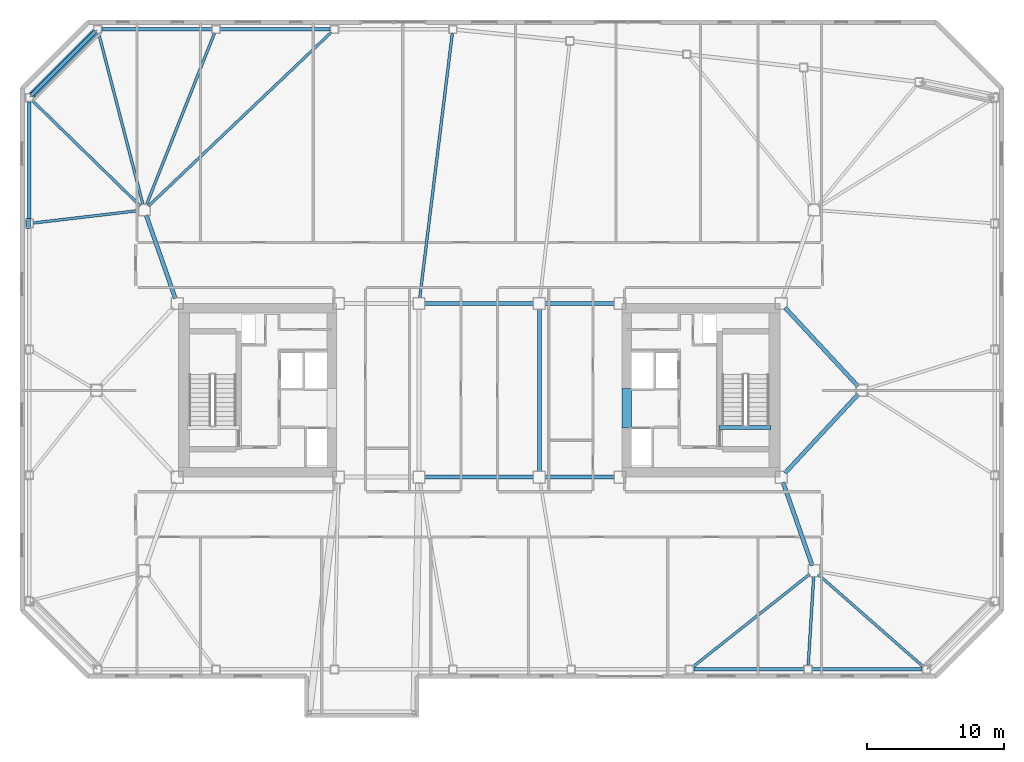
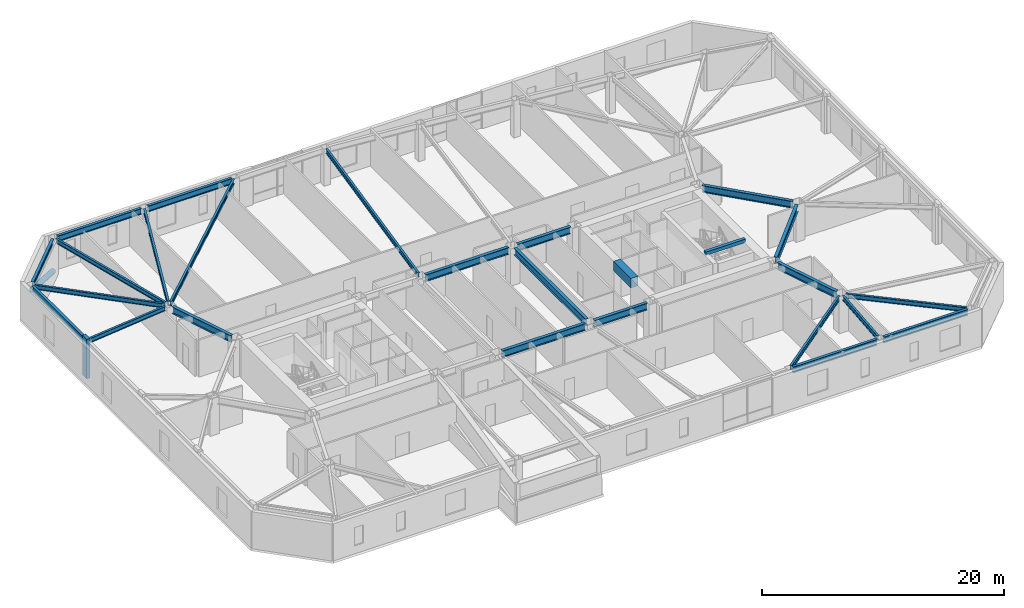
# One storey, part 4 of 17: 26 beams, 2 members.
"""IFC4 building model written with IfcOpenShell, lengths in metres."""

from ifc_helpers import new_model, si_unit, direction, frame, origin, origin_2d, place, context, subcontext, project, spatial, rectangle, hollow_circle, i_section, extrude, material, material_profile, profile_set, type_object, element, save


model = new_model("IFC4")

# Units and contexts
model_context = context("Model", 3, precision=1e-05, world=origin(), true_north=direction((0.0, 1.0)))
body_context = subcontext(model_context, "Body", "Model", "MODEL_VIEW")
ifc_project = project(units=[si_unit("LENGTHUNIT", "METRE"), si_unit("AREAUNIT", "SQUARE_METRE"), si_unit("VOLUMEUNIT", "CUBIC_METRE"), si_unit("PLANEANGLEUNIT", "RADIAN"), si_unit("MASSUNIT", "GRAM", prefix="KILO")], contexts=[model_context])

# Site, building, storey
site_placement = place(None, origin())
site = spatial("IfcSite", under=ifc_project, at=site_placement, CompositionType="ELEMENT")
building_placement = place(site_placement, origin())
building = spatial("IfcBuilding", under=site, at=building_placement, Name="Tavrogorsk Clinical Tower", CompositionType="ELEMENT")
storey_placement = place(building_placement, frame((0.0, 0.0, 160.199951171875)))
storey = spatial("IfcBuildingStorey", under=building, at=storey_placement, Name="L36", CompositionType="ELEMENT", Elevation=160.199951171875)

# Beam
ifc_material_1 = material(Name="Concrete B80", Category="concrete")
ifc_material_profile_1 = material_profile(ifc_material_1, rectangle(XDim=0.699951171875, YDim=0.949951171875, at=origin_2d()), Name="RC-CB-700x950")
ifc_profile_set_1 = profile_set([ifc_material_profile_1], Name="Concrete B80")
beam_type_1 = type_object("IfcBeamType", Name="CouplingBeam_RC700x950", PredefinedType="LINTEL", material=ifc_profile_set_1)
beam_1_placement = place(storey_placement, frame((10.800048828125, -2.75, 3.26513671875), z_axis=(0.0, 1.0, 0.0), x_axis=(-1.0, 0.0, 0.0)))
element("IfcBeam", 1, at=beam_1_placement, inside=storey, type_object=beam_type_1, Name="L36 Core East Coupling Beam", PredefinedType="LINTEL", context=body_context, shape_type="SweptSolid", body=[
    extrude(rectangle(XDim=0.699951171875, YDim=0.949951171875, at=origin_2d()), origin(), (0.0, 0.0, 1.0), 2.89990234375),
])

# Member
ifc_material_2 = material(Name="Structural steel S440", Category="steel")
ifc_material_profile_2 = material_profile(ifc_material_2, hollow_circle(Radius=0.25390625, WallThickness=0.02001953125, at=origin_2d()), Name="CHS-508x20")
ifc_profile_set_2 = profile_set([ifc_material_profile_2], Name="Structural steel S440")
member_type_1 = type_object("IfcMemberType", Name="ExoBrace_CHS508", PredefinedType="BRACE", material=ifc_profile_set_2)
member_1_placement = place(storey_placement, frame((-28.12255859375, 26.217529296875, 0.4130859375), z_axis=(-0.657758524103, -0.657758524103, 0.367025132572), x_axis=(0.707106781187, -0.707106781187, 0.0)))
element("IfcMember", 2, at=member_1_placement, inside=storey, type_object=member_type_1, Name="L36 Corner Exoskeleton Brace N8-W1", PredefinedType="BRACE", context=body_context, shape_type="SweptSolid", body=[
    extrude(hollow_circle(Radius=0.25390625, WallThickness=0.02001953125, at=origin_2d()), origin(), (0.0, 0.0, 1.0), 6.98583984375),
])

# Beams
ifc_material_3 = material(Name="Structural steel S355", Category="steel")
ifc_material_profile_3 = material_profile(ifc_material_3, i_section(OverallWidth=0.199951171875, OverallDepth=0.449951171875, WebThickness=0.011474609375, FlangeThickness=0.01806640625, at=origin_2d()), Name="B-450x200x11.5x18")
ifc_profile_set_3 = profile_set([ifc_material_profile_3], Name="Structural steel S355")
beam_type_2 = type_object("IfcBeamType", Name="FloorBeam_B450", PredefinedType="BEAM", material=ifc_profile_set_3)
beam_2_placement = place(storey_placement, frame((24.1787109375, -13.454833984375, 3.51513671875), z_axis=(-0.783566094727, -0.621308438052, 0.0), x_axis=(0.621308438052, -0.783566094727, 0.0)))
element("IfcBeam", 3, at=beam_2_placement, inside=storey, type_object=beam_type_2, Name="L36 Radial Floor Beam S6", PredefinedType="BEAM", context=body_context, shape_type="SweptSolid", body=[
    extrude(i_section(OverallWidth=0.199951171875, OverallDepth=0.449951171875, WebThickness=0.011474609375, FlangeThickness=0.01806640625, at=origin_2d()), origin(), (0.0, 0.0, 1.0), 10.902587890625),
])
beam_3_placement = place(storey_placement, frame((24.474853515625, -13.609130859375, 3.51513671875), z_axis=(-0.061225862048, -0.998123937102, 0.0), x_axis=(0.998123937102, -0.061225862048, 0.0)))
element("IfcBeam", 4, at=beam_3_placement, inside=storey, type_object=beam_type_2, Name="L36 Radial Floor Beam S7", PredefinedType="BEAM", context=body_context, shape_type="SweptSolid", body=[
    extrude(i_section(OverallWidth=0.199951171875, OverallDepth=0.449951171875, WebThickness=0.011474609375, FlangeThickness=0.01806640625, at=origin_2d()), origin(), (0.0, 0.0, 1.0), 6.515625),
])
beam_4_placement = place(storey_placement, frame((24.80810546875, -13.470458984375, 3.51513671875), z_axis=(0.751316315352, -0.659942265874, 0.0), x_axis=(0.659942265874, 0.751316315352, 0.0)))
element("IfcBeam", 5, at=beam_4_placement, inside=storey, type_object=beam_type_2, Name="L36 Radial Floor Beam S8", PredefinedType="BEAM", context=body_context, shape_type="SweptSolid", body=[
    extrude(i_section(OverallWidth=0.199951171875, OverallDepth=0.449951171875, WebThickness=0.011474609375, FlangeThickness=0.01806640625, at=origin_2d()), origin(), (0.0, 0.0, 1.0), 10.22265625),
])
beam_5_placement = place(storey_placement, frame((-4.349853515625, 6.7568359375, 3.51513671875), z_axis=(0.122074764034, 0.992520907581, 0.0), x_axis=(-0.992520907581, 0.122074764034, 0.0)))
element("IfcBeam", 6, at=beam_5_placement, inside=storey, type_object=beam_type_2, Name="L36 Radial Floor Beam N5", PredefinedType="BEAM", context=body_context, shape_type="SweptSolid", body=[
    extrude(i_section(OverallWidth=0.199951171875, OverallDepth=0.449951171875, WebThickness=0.011474609375, FlangeThickness=0.01806640625, at=origin_2d()), origin(), (0.0, 0.0, 1.0), 19.503173828125),
])
beam_6_placement = place(storey_placement, frame((-24.202880859375, 13.482421875, 3.51513671875), z_axis=(0.724746572965, 0.689015533189, 0.0), x_axis=(-0.689015533189, 0.724746572965, 0.0)))
element("IfcBeam", 7, at=beam_6_placement, inside=storey, type_object=beam_type_2, Name="L36 Radial Floor Beam N6", PredefinedType="BEAM", context=body_context, shape_type="SweptSolid", body=[
    extrude(i_section(OverallWidth=0.199951171875, OverallDepth=0.449951171875, WebThickness=0.011474609375, FlangeThickness=0.01806640625, at=origin_2d()), origin(), (0.0, 0.0, 1.0), 18.468994140625),
])
beam_7_placement = place(storey_placement, frame((-24.348876953125, 13.5810546875, 3.51513671875), z_axis=(0.368655349184, 0.929566153384, 0.0), x_axis=(-0.929566153384, 0.368655349184, 0.0)))
element("IfcBeam", 8, at=beam_7_placement, inside=storey, type_object=beam_type_2, Name="L36 Radial Floor Beam N7", PredefinedType="BEAM", context=body_context, shape_type="SweptSolid", body=[
    extrude(i_section(OverallWidth=0.199951171875, OverallDepth=0.449951171875, WebThickness=0.011474609375, FlangeThickness=0.01806640625, at=origin_2d()), origin(), (0.0, 0.0, 1.0), 13.50390625),
])
beam_8_placement = place(storey_placement, frame((-24.602783203125, 13.596923828125, 3.51513671875), z_axis=(-0.25044015559, 0.96813208214, 0.0), x_axis=(-0.96813208214, -0.25044015559, 0.0)))
element("IfcBeam", 9, at=beam_8_placement, inside=storey, type_object=beam_type_2, Name="L36 Radial Floor Beam N8", PredefinedType="BEAM", context=body_context, shape_type="SweptSolid", body=[
    extrude(i_section(OverallWidth=0.199951171875, OverallDepth=0.449951171875, WebThickness=0.011474609375, FlangeThickness=0.01806640625, at=origin_2d()), origin(), (0.0, 0.0, 1.0), 12.937255859375),
])
beam_9_placement = place(storey_placement, frame((-24.79345703125, 13.486328125, 3.51513671875), z_axis=(-0.715551590144, 0.698559891378, 0.0), x_axis=(-0.698559891378, -0.715551590144, 0.0)))
element("IfcBeam", 10, at=beam_9_placement, inside=storey, type_object=beam_type_2, Name="L36 Radial Floor Beam W1", PredefinedType="BEAM", context=body_context, shape_type="SweptSolid", body=[
    extrude(i_section(OverallWidth=0.199951171875, OverallDepth=0.449951171875, WebThickness=0.011474609375, FlangeThickness=0.01806640625, at=origin_2d()), origin(), (0.0, 0.0, 1.0), 11.049072265625),
])
beam_10_placement = place(storey_placement, frame((-24.9072265625, 13.152099609375, 3.51513671875), z_axis=(-0.993157045518, -0.116786484397, 0.0), x_axis=(0.116786484397, -0.993157045518, 0.0)))
element("IfcBeam", 11, at=beam_10_placement, inside=storey, type_object=beam_type_2, Name="L36 Radial Floor Beam W2", PredefinedType="BEAM", context=body_context, shape_type="SweptSolid", body=[
    extrude(i_section(OverallWidth=0.199951171875, OverallDepth=0.449951171875, WebThickness=0.011474609375, FlangeThickness=0.01806640625, at=origin_2d()), origin(), (0.0, 0.0, 1.0), 7.759765625),
])

# Member
ifc_material_4 = material(Name="Precast concrete B45 with limestone cladding", Category="masonry")
ifc_material_profile_4 = material_profile(ifc_material_4, rectangle(XDim=0.320068359375, YDim=0.719970703125, at=origin_2d()), Name="LIMESTONE-FIN-320x720")
ifc_profile_set_4 = profile_set([ifc_material_profile_4], Name="Precast concrete B45 with limestone cladding")
member_type_2 = type_object("IfcMemberType", Name="LimestonePleatFin_320x720", PredefinedType="USERDEFINED", material=ifc_profile_set_4)
member_2_placement = place(storey_placement, frame((-33.0, 12.2099609375, 0.0), z_axis=(0.0, 0.0, 1.0), x_axis=(1.0, 0.0, 0.0)))
element("IfcMember", 12, at=member_2_placement, inside=storey, type_object=member_type_2, Name="L36 W Pleated Stone Fin 1", ObjectType="FIN", PredefinedType="USERDEFINED", context=body_context, shape_type="SweptSolid", body=[
    extrude(rectangle(XDim=0.320068359375, YDim=0.719970703125, at=origin_2d()), origin(), (0.0, 0.0, 1.0), 4.0),
])

# Beams
ifc_material_5 = material(Name="Structural steel S390", Category="steel")
ifc_material_profile_5 = material_profile(ifc_material_5, i_section(OverallWidth=0.300048828125, OverallDepth=0.699951171875, WebThickness=0.01708984375, FlangeThickness=0.028076171875, at=origin_2d()), Name="B-700x300x17x28")
ifc_profile_set_5 = profile_set([ifc_material_profile_5], Name="Structural steel S390")
beam_type_3 = type_object("IfcBeamType", Name="PrimaryGirder_B700", PredefinedType="USERDEFINED", material=ifc_profile_set_5)
for number, where, z_axis, x_axis, name in (
    (13, (-3.989990234375, -6.35009765625, 3.39013671875), (1.0, 0.0, 0.0), (0.0, 1.0, 0.0), "L36 Primary Spine Girder MG-03"),
    (14, (-3.989990234375, 6.35009765625, 3.39013671875), (1.0, 0.0, 0.0), (0.0, 1.0, 0.0), "L36 Primary Spine Girder MG-04"),
):
    element("IfcBeam", number, at=place(storey_placement, frame(where, z_axis=z_axis, x_axis=x_axis)), inside=storey, type_object=beam_type_3, Name=name, ObjectType="GIRDER", PredefinedType="USERDEFINED", context=body_context, shape_type="SweptSolid", body=[
        extrude(i_section(OverallWidth=0.300048828125, OverallDepth=0.699951171875, WebThickness=0.01708984375, FlangeThickness=0.028076171875, at=origin_2d()), origin(), (0.0, 0.0, 1.0), 7.97998046875),
    ])
for number, where, z_axis, x_axis, name in (
    (15, (4.81005859375, -6.35009765625, 3.39013671875), (1.0, 0.0, 0.0), (0.0, 1.0, 0.0), "L36 Primary Spine Girder MG-05"),
    (16, (4.81005859375, 6.35009765625, 3.39013671875), (1.0, 0.0, 0.0), (0.0, 1.0, 0.0), "L36 Primary Spine Girder MG-06"),
):
    element("IfcBeam", number, at=place(storey_placement, frame(where, z_axis=z_axis, x_axis=x_axis)), inside=storey, type_object=beam_type_3, Name=name, ObjectType="GIRDER", PredefinedType="USERDEFINED", context=body_context, shape_type="SweptSolid", body=[
        extrude(i_section(OverallWidth=0.300048828125, OverallDepth=0.699951171875, WebThickness=0.01708984375, FlangeThickness=0.028076171875, at=origin_2d()), origin(), (0.0, 0.0, 1.0), 5.079833984375),
    ])
beam_11_placement = place(storey_placement, frame((4.39990234375, -5.93994140625, 3.39013671875), z_axis=(0.0, 1.0, 0.0), x_axis=(-1.0, 0.0, 0.0)))
element("IfcBeam", 17, at=beam_11_placement, inside=storey, type_object=beam_type_3, Name="L36 Primary Spine Girder MG-08", ObjectType="GIRDER", PredefinedType="USERDEFINED", context=body_context, shape_type="SweptSolid", body=[
    extrude(i_section(OverallWidth=0.300048828125, OverallDepth=0.699951171875, WebThickness=0.01708984375, FlangeThickness=0.028076171875, at=origin_2d()), origin(), (0.0, 0.0, 1.0), 11.8798828125),
])
for number, where, z_axis, x_axis, name in (
    (18, (24.364501953125, -12.81298828125, 3.39013671875), (-0.330673031392, 0.94374538214, 0.0), (-0.94374538214, -0.330673031392, 0.0), "L36 Spine Link Girder OPG-2"),
    (19, (-24.364501953125, 12.81298828125, 3.39013671875), (0.330673031392, -0.94374538214, 0.0), (0.94374538214, 0.330673031392, 0.0), "L36 Spine Link Girder OPG-3"),
):
    element("IfcBeam", number, at=place(storey_placement, frame(where, z_axis=z_axis, x_axis=x_axis)), inside=storey, type_object=beam_type_3, Name=name, ObjectType="GIRDER", PredefinedType="USERDEFINED", context=body_context, shape_type="SweptSolid", body=[
        extrude(i_section(OverallWidth=0.300048828125, OverallDepth=0.699951171875, WebThickness=0.01708984375, FlangeThickness=0.028076171875, at=origin_2d()), origin(), (0.0, 0.0, 1.0), 6.43798828125),
    ])
for number, where, z_axis, x_axis, name in (
    (20, (27.720947265625, -0.30029296875, 3.39013671875), (-0.680669430215, -0.732590695253, 0.0), (0.732590695253, -0.680669430215, 0.0), "L36 Spine Link Girder OPG-7"),
    (21, (27.720947265625, 0.30029296875, 3.39013671875), (-0.680669430215, 0.732590695253, 0.0), (-0.732590695253, -0.680669430215, 0.0), "L36 Spine Link Girder OPG-8"),
):
    element("IfcBeam", number, at=place(storey_placement, frame(where, z_axis=z_axis, x_axis=x_axis)), inside=storey, type_object=beam_type_3, Name=name, ObjectType="GIRDER", PredefinedType="USERDEFINED", context=body_context, shape_type="SweptSolid", body=[
        extrude(i_section(OverallWidth=0.300048828125, OverallDepth=0.699951171875, WebThickness=0.01708984375, FlangeThickness=0.028076171875, at=origin_2d()), origin(), (0.0, 0.0, 1.0), 7.847900390625),
    ])
ifc_material_6 = material(Name="Structural steel S390", Category="steel")
ifc_material_profile_6 = material_profile(ifc_material_6, i_section(OverallWidth=0.260009765625, OverallDepth=0.60009765625, WebThickness=0.014892578125, FlangeThickness=0.02392578125, at=origin_2d()), Name="B-600x260x15x24")
ifc_profile_set_6 = profile_set([ifc_material_profile_6], Name="Structural steel S390")
beam_type_4 = type_object("IfcBeamType", Name="SpandrelBeam_B600", PredefinedType="SPANDREL", material=ifc_profile_set_6)
beam_12_placement = place(storey_placement, frame((15.702392578125, -20.419921875, 3.43994140625), z_axis=(1.0, 0.0, 0.0), x_axis=(0.0, 1.0, 0.0)))
element("IfcBeam", 22, at=beam_12_placement, inside=storey, type_object=beam_type_4, Name="L36 Perimeter Spandrel S6-S7", PredefinedType="SPANDREL", context=body_context, shape_type="SweptSolid", body=[
    extrude(i_section(OverallWidth=0.260009765625, OverallDepth=0.60009765625, WebThickness=0.014892578125, FlangeThickness=0.02392578125, at=origin_2d()), origin(), (0.0, 0.0, 1.0), 8.046630859375),
])
beam_13_placement = place(storey_placement, frame((24.364990234375, -20.419921875, 3.43994140625), z_axis=(1.0, 0.0, 0.0), x_axis=(0.0, 1.0, 0.0)))
element("IfcBeam", 23, at=beam_13_placement, inside=storey, type_object=beam_type_4, Name="L36 Perimeter Spandrel S7-S8", PredefinedType="SPANDREL", context=body_context, shape_type="SweptSolid", body=[
    extrude(i_section(OverallWidth=0.260009765625, OverallDepth=0.60009765625, WebThickness=0.014892578125, FlangeThickness=0.02392578125, at=origin_2d()), origin(), (0.0, 0.0, 1.0), 8.047119140625),
])
for number, where, z_axis, x_axis, name in (
    (24, (-10.90234375, 26.419921875, 3.43994140625), (-1.0, 0.0, 0.0), (0.0, -1.0, 0.0), "L36 Perimeter Spandrel N6-N7"),
    (25, (-19.565185546875, 26.419921875, 3.43994140625), (-1.0, 0.0, 0.0), (0.0, -1.0, 0.0), "L36 Perimeter Spandrel N7-N8"),
):
    element("IfcBeam", number, at=place(storey_placement, frame(where, z_axis=z_axis, x_axis=x_axis)), inside=storey, type_object=beam_type_4, Name=name, PredefinedType="SPANDREL", context=body_context, shape_type="SweptSolid", body=[
        extrude(i_section(OverallWidth=0.260009765625, OverallDepth=0.60009765625, WebThickness=0.014892578125, FlangeThickness=0.02392578125, at=origin_2d()), origin(), (0.0, 0.0, 1.0), 8.046875),
    ])
beam_14_placement = place(storey_placement, frame((-28.1376953125, 26.2021484375, 3.43994140625), z_axis=(-0.707106781187, -0.707106781187, 0.0), x_axis=(0.707106781187, -0.707106781187, 0.0)))
element("IfcBeam", 26, at=beam_14_placement, inside=storey, type_object=beam_type_4, Name="L36 Perimeter Spandrel N8-W1", PredefinedType="SPANDREL", context=body_context, shape_type="SweptSolid", body=[
    extrude(i_section(OverallWidth=0.260009765625, OverallDepth=0.60009765625, WebThickness=0.014892578125, FlangeThickness=0.02392578125, at=origin_2d()), origin(), (0.0, 0.0, 1.0), 6.455078125),
])
beam_15_placement = place(storey_placement, frame((-32.919921875, 21.112060546875, 3.43994140625), z_axis=(0.0, -1.0, 0.0), x_axis=(1.0, 0.0, 0.0)))
element("IfcBeam", 27, at=beam_15_placement, inside=storey, type_object=beam_type_4, Name="L36 Perimeter Spandrel W1-W2", PredefinedType="SPANDREL", context=body_context, shape_type="SweptSolid", body=[
    extrude(i_section(OverallWidth=0.260009765625, OverallDepth=0.60009765625, WebThickness=0.014892578125, FlangeThickness=0.02392578125, at=origin_2d()), origin(), (0.0, 0.0, 1.0), 8.593994140625),
])
ifc_material_7 = material(Name="Concrete B60", Category="concrete")
ifc_material_profile_7 = material_profile(ifc_material_7, rectangle(XDim=0.300048828125, YDim=0.35009765625, at=origin_2d()), Name="RC-SHB-300x350")
ifc_profile_set_7 = profile_set([ifc_material_profile_7], Name="Concrete B60")
beam_type_5 = type_object("IfcBeamType", Name="StairHeaderBeam_RC300x350", PredefinedType="BEAM", material=ifc_profile_set_7)
beam_16_placement = place(storey_placement, frame((17.550048828125, -2.719970703125, 3.824951171875), z_axis=(1.0, 0.0, 0.0), x_axis=(0.0, 1.0, 0.0)))
element("IfcBeam", 28, at=beam_16_placement, inside=storey, type_object=beam_type_5, Name="L37 ST-E Landing Header Beam", PredefinedType="BEAM", context=body_context, shape_type="SweptSolid", body=[
    extrude(rectangle(XDim=0.300048828125, YDim=0.35009765625, at=origin_2d()), origin(), (0.0, 0.0, 1.0), 3.800048828125),
])

save(model, "model.ifc")
